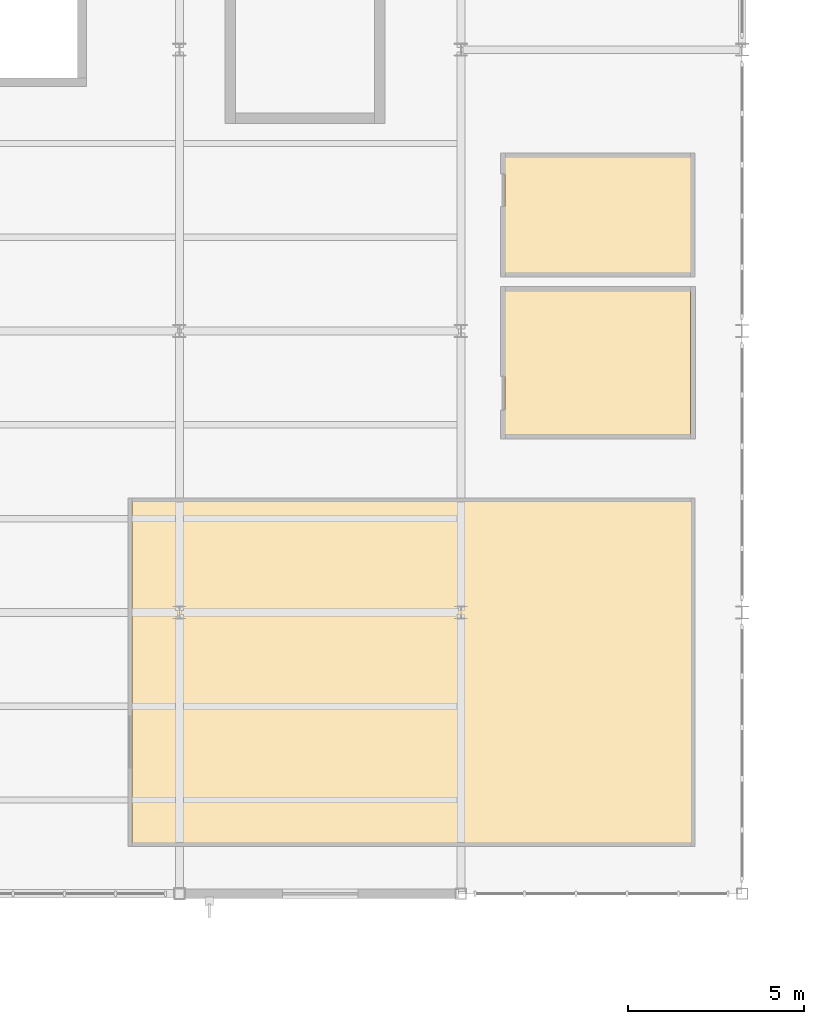
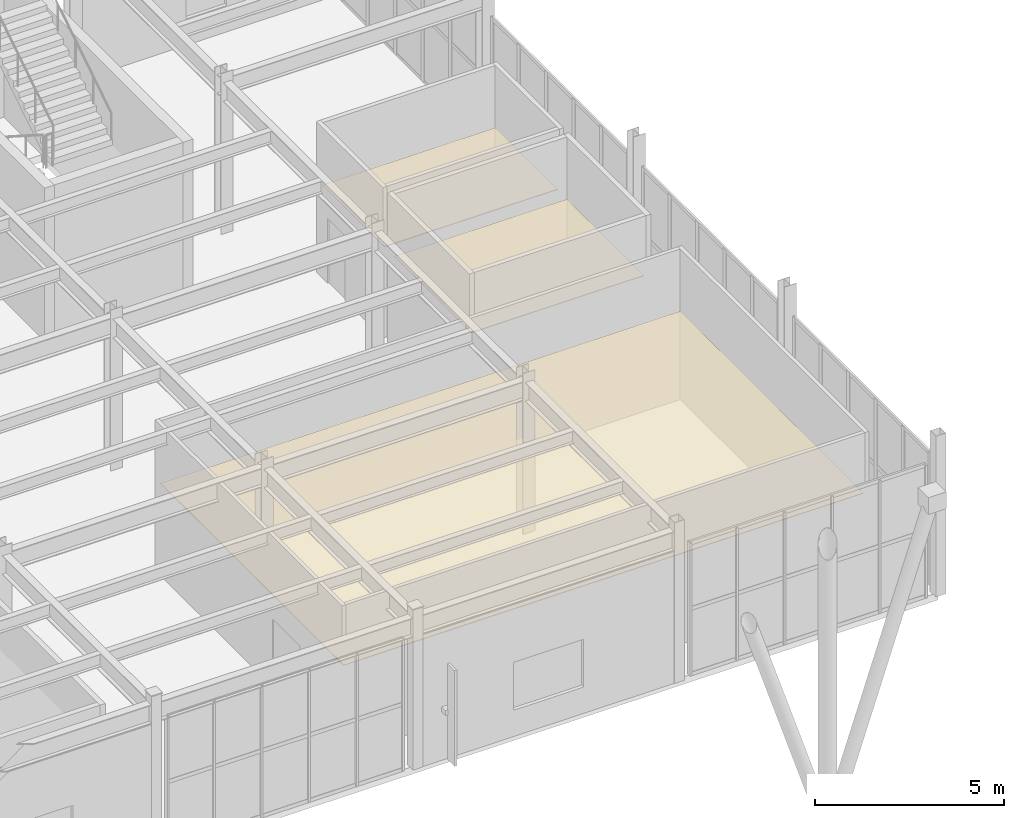
# One storey, part 77 of 77: 3 coverings.
"""IFC4 building model written with IfcOpenShell, lengths in metres."""

from ifc_helpers import new_model, si_unit, direction, frame, origin, place, context, subcontext, project, spatial, polyline, outline, extrude, material, layer, layer_set, type_object, element, save


model = new_model("IFC4")

# Units and contexts
model_context = context("Model", 3, precision=1e-05, world=origin(), true_north=direction((0.0, 1.0)))
body_context = subcontext(model_context, "Body", "Model", "MODEL_VIEW")
ifc_project = project(units=[si_unit("LENGTHUNIT", "METRE"), si_unit("AREAUNIT", "SQUARE_METRE"), si_unit("VOLUMEUNIT", "CUBIC_METRE"), si_unit("PLANEANGLEUNIT", "RADIAN"), si_unit("MASSUNIT", "GRAM", prefix="KILO")], contexts=[model_context])

# Site, building, storey
site_placement = place(None, origin())
site = spatial("IfcSite", under=ifc_project, at=site_placement, CompositionType="ELEMENT")
building_placement = place(site_placement, origin())
building = spatial("IfcBuilding", under=site, at=building_placement, Name="Drelvath Fold Interchange", CompositionType="ELEMENT")
storey_placement = place(building_placement, frame((0.0, 0.0, 6.0)))
storey = spatial("IfcBuildingStorey", under=building, at=storey_placement, Name="L01", CompositionType="ELEMENT", Elevation=6.0)

# Coverings
ifc_material = material(Name="Perforated Aluminium Acoustic Ceiling", Category="aluminium")
ifc_layer = layer(ifc_material, 0.01806640625, Name="Perforated Aluminium Acoustic Ceiling")
ifc_layer_set = layer_set([ifc_layer], Name="Perforated Aluminium Acoustic Ceiling")
covering_type = type_object("IfcCoveringType", Name="CV-CEIL-AL18", PredefinedType="CEILING", material=ifc_layer_set)
covering_1_placement = place(storey_placement, frame((0.0, 0.0, 2.830078125)))
element("IfcCovering", 1, at=covering_1_placement, inside=storey, type_object=covering_type, Name="Commuter Cycling Club Lounge acoustic ceiling", PredefinedType="CEILING", context=body_context, shape_type="SweptSolid", body=[
    extrude(outline(polyline([(124.64697265625, 76.447998046875), (140.552001953125, 76.447998046875), (140.552001953125, 86.153076171875), (124.64697265625, 86.153076171875), (124.64697265625, 76.447998046875)])), origin(), (0.0, 0.0, 1.0), 0.02001953125),
])
covering_2_placement = place(storey_placement, frame((0.0, 0.0, 2.830078125)))
element("IfcCovering", 2, at=covering_2_placement, inside=storey, type_object=covering_type, Name="Upper Cycle Hub Accessible WC acoustic ceiling", PredefinedType="CEILING", context=body_context, shape_type="SweptSolid", body=[
    extrude(outline(polyline([(135.261962890625, 88.06201171875), (140.537109375, 88.06201171875), (140.537109375, 92.137939453125), (135.261962890625, 92.137939453125), (135.261962890625, 88.06201171875)])), origin(), (0.0, 0.0, 1.0), 0.02001953125),
])
covering_3_placement = place(storey_placement, frame((0.0, 0.0, 2.830078125)))
element("IfcCovering", 3, at=covering_3_placement, inside=storey, type_object=covering_type, Name="Cycle Hub Custodial Supply Closet acoustic ceiling", PredefinedType="CEILING", context=body_context, shape_type="SweptSolid", body=[
    extrude(outline(polyline([(135.2548828125, 92.655029296875), (140.544921875, 92.655029296875), (140.544921875, 95.945068359375), (135.2548828125, 95.945068359375), (135.2548828125, 92.655029296875)])), origin(), (0.0, 0.0, 1.0), 0.02001953125),
])

save(model, "model.ifc")
